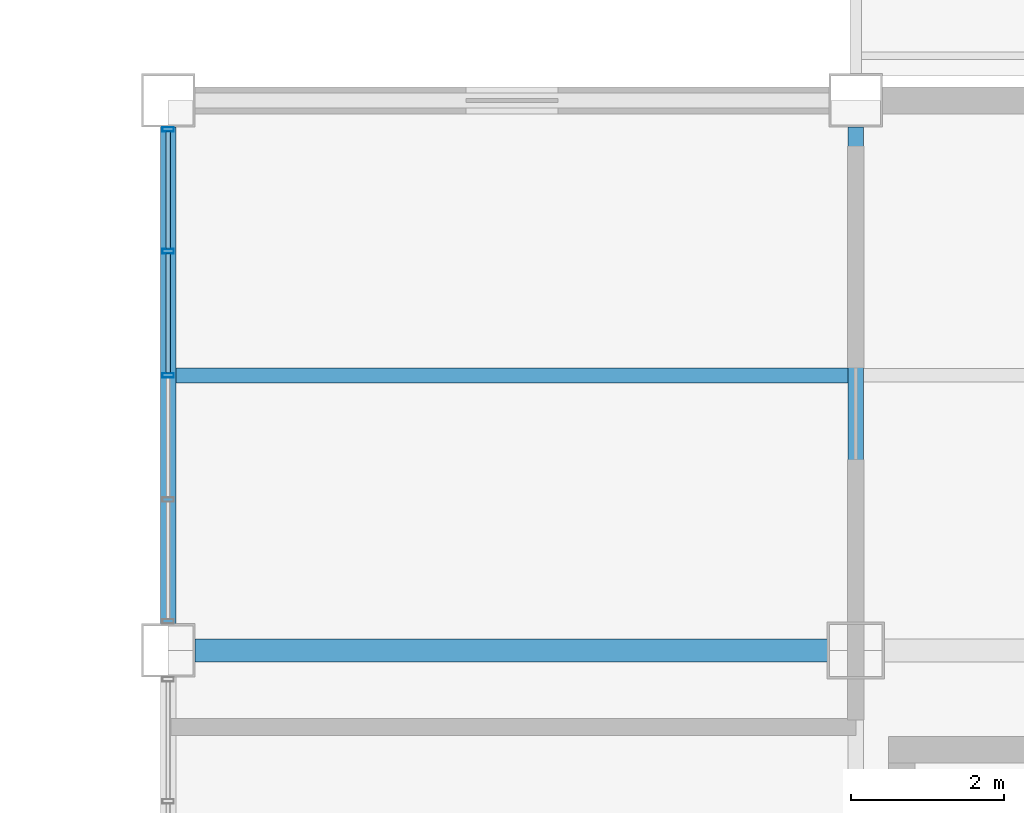
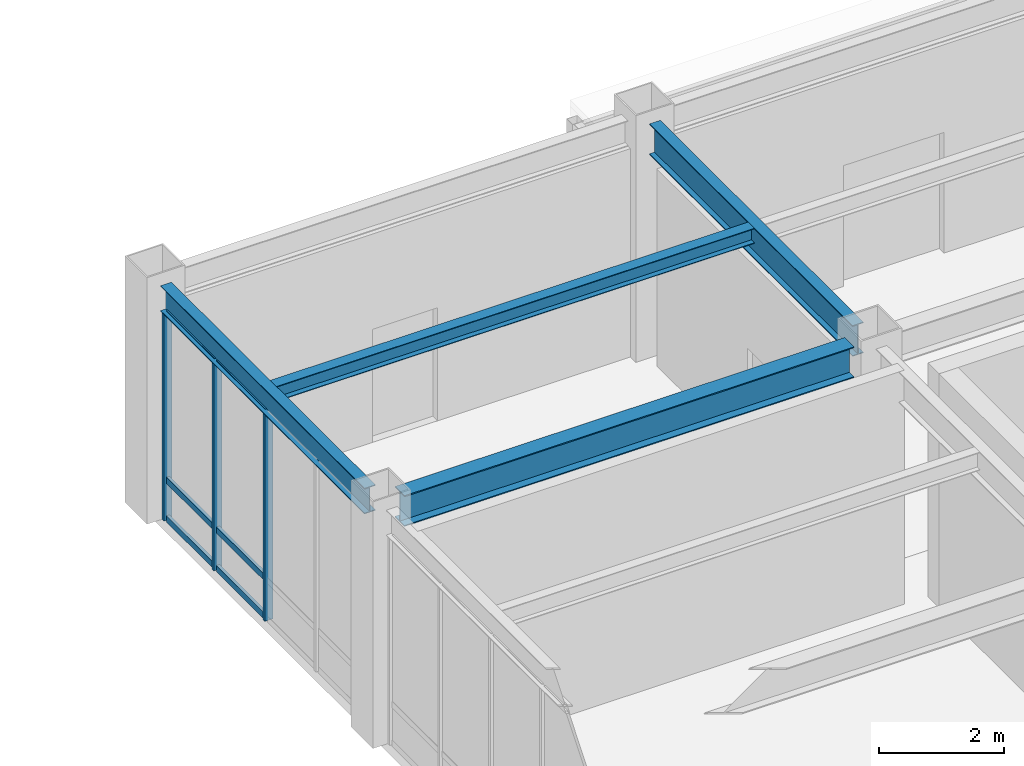
# One storey, part 70 of 112: 9 members, 4 beams, 1 element without a shape of its own.
"""IFC4 building model written with IfcOpenShell, lengths in metres."""

from ifc_helpers import new_model, si_unit, direction, frame, origin, origin_2d, place, context, subcontext, project, spatial, hollow_rectangle, i_section, extrude, material, material_profile, profile_set, type_object, element, aggregate, save


model = new_model("IFC4")

# Units and contexts
model_context = context("Model", 3, precision=1e-05, world=origin(), true_north=direction((0.0, 1.0)))
body_context = subcontext(model_context, "Body", "Model", "MODEL_VIEW")
ifc_project = project(units=[si_unit("LENGTHUNIT", "METRE"), si_unit("AREAUNIT", "SQUARE_METRE"), si_unit("VOLUMEUNIT", "CUBIC_METRE"), si_unit("PLANEANGLEUNIT", "RADIAN"), si_unit("MASSUNIT", "GRAM", prefix="KILO")], contexts=[model_context])

# Site, building, storey
site_placement = place(None, origin())
site = spatial("IfcSite", under=ifc_project, at=site_placement, CompositionType="ELEMENT")
building_placement = place(site_placement, origin())
building = spatial("IfcBuilding", under=site, at=building_placement, Name="Kazanami Central Library", CompositionType="ELEMENT")
storey_placement = place(building_placement, origin())
storey = spatial("IfcBuildingStorey", under=building, at=storey_placement, Name="L01", CompositionType="ELEMENT", Elevation=0.0)

# Beams
ifc_material_1 = material(Name="Steel SN400B (235 MPa)", Category="steel")
ifc_material_profile_1 = material_profile(ifc_material_1, i_section(OverallWidth=0.199951171875, OverallDepth=0.2939453125, WebThickness=0.008056640625, FlangeThickness=0.011962890625, at=origin_2d()), Name="H-294x200x8x12")
ifc_profile_set_1 = profile_set([ifc_material_profile_1], Name="Steel SN400B (235 MPa)")
beam_type_1 = type_object("IfcBeamType", Name="BM-B-S5", PredefinedType="JOIST", material=ifc_profile_set_1)
beam_1_placement = place(storey_placement, frame((117.097900390625, 90.0, 4.407958984375), z_axis=(1.0, 0.0, 0.0), x_axis=(0.0, 1.0, 0.0)))
element("IfcBeam", 1, at=beam_1_placement, inside=storey, type_object=beam_type_1, Name="Composite Secondary Joist B-S5 L01 Bay 14/N.1", PredefinedType="JOIST", context=body_context, shape_type="SweptSolid", body=[
    extrude(i_section(OverallWidth=0.199951171875, OverallDepth=0.2939453125, WebThickness=0.008056640625, FlangeThickness=0.011962890625, at=origin_2d()), origin(), (0.0, 0.0, 1.0), 8.80419921875),
])
ifc_material_2 = material(Name="Steel SN490B (325 MPa)", Category="steel")
ifc_material_profile_2 = material_profile(ifc_material_2, i_section(OverallWidth=0.300048828125, OverallDepth=0.60009765625, WebThickness=0.011962890625, FlangeThickness=0.02001953125, at=origin_2d()), Name="H-600x300x12x20")
ifc_profile_set_2 = profile_set([ifc_material_profile_2], Name="Steel SN490B (325 MPa)")
beam_type_2 = type_object("IfcBeamType", Name="BM-G-X1", PredefinedType="BEAM", material=ifc_profile_set_2)
beam_2_placement = place(storey_placement, frame((117.347900390625, 86.39990234375, 4.2548828125), z_axis=(1.0, 0.0, 0.0), x_axis=(0.0, 1.0, 0.0)))
element("IfcBeam", 2, at=beam_2_placement, inside=storey, type_object=beam_type_2, Name="Girder G-X1 L01 N/14-15", PredefinedType="BEAM", context=body_context, shape_type="SweptSolid", body=[
    extrude(i_section(OverallWidth=0.300048828125, OverallDepth=0.60009765625, WebThickness=0.011962890625, FlangeThickness=0.02001953125, at=origin_2d()), origin(), (0.0, 0.0, 1.0), 8.279052734375),
])
ifc_material_profile_3 = material_profile(ifc_material_2, i_section(OverallWidth=0.199951171875, OverallDepth=0.60009765625, WebThickness=0.010986328125, FlangeThickness=0.01708984375, at=origin_2d()), Name="H-600x200x11x17")
ifc_profile_set_3 = profile_set([ifc_material_profile_3], Name="Steel SN490B (325 MPa)")
beam_type_3 = type_object("IfcBeamType", Name="BM-G-Y1", PredefinedType="BEAM", material=ifc_profile_set_3)
beam_3_placement = place(storey_placement, frame((126.0, 86.77294921875, 4.2548828125), z_axis=(0.0, 1.0, 0.0), x_axis=(-1.0, 0.0, 0.0)))
element("IfcBeam", 3, at=beam_3_placement, inside=storey, type_object=beam_type_3, Name="Girder G-Y1 L01 15/N-O", PredefinedType="BEAM", context=body_context, shape_type="SweptSolid", body=[
    extrude(i_section(OverallWidth=0.199951171875, OverallDepth=0.60009765625, WebThickness=0.010986328125, FlangeThickness=0.01708984375, at=origin_2d()), origin(), (0.0, 0.0, 1.0), 6.47900390625),
])
ifc_material_profile_4 = material_profile(ifc_material_2, i_section(OverallWidth=0.199951171875, OverallDepth=0.5, WebThickness=0.010009765625, FlangeThickness=0.01611328125, at=origin_2d()), Name="H-500x200x10x16")
ifc_profile_set_4 = profile_set([ifc_material_profile_4], Name="Steel SN490B (325 MPa)")
beam_type_4 = type_object("IfcBeamType", Name="BM-SP-1", PredefinedType="SPANDREL", material=ifc_profile_set_4)
beam_4_placement = place(storey_placement, frame((117.0, 86.748046875, 4.304931640625), z_axis=(0.0, 1.0, 0.0), x_axis=(-1.0, 0.0, 0.0)))
element("IfcBeam", 4, at=beam_4_placement, inside=storey, type_object=beam_type_4, Name="Girder SP-1 L01 14/N-O", PredefinedType="SPANDREL", context=body_context, shape_type="SweptSolid", body=[
    extrude(i_section(OverallWidth=0.199951171875, OverallDepth=0.5, WebThickness=0.010009765625, FlangeThickness=0.01611328125, at=origin_2d()), origin(), (0.0, 0.0, 1.0), 6.50390625),
])

# Curtain wall, members
ifc_material_3 = material(Name="Acid-Etched Low-E Laminated Glass", Category="glass")
curtain_wall_type = type_object("IfcCurtainWallType", Name="CW-6500x4055-M180", PredefinedType="USERDEFINED", material=ifc_material_3)
curtain_wall_placement = place(storey_placement, origin())
curtain_wall = element("IfcCurtainWall", 5, at=curtain_wall_placement, inside=storey, type_object=curtain_wall_type, Name="Covered Link Bridge Curtain Wall CW-11 L01 W-14-12", ObjectType="UNITISED CURTAIN WALL", PredefinedType="USERDEFINED")
ifc_material_4 = material(Name="Anodised Aluminium A6063-T5", Category="aluminium")
ifc_material_profile_5 = material_profile(ifc_material_4, hollow_rectangle(XDim=0.06005859375, YDim=0.14990234375, WallThickness=0.00390625, at=origin_2d()), Name="ALU-MULL-60x150x4")
ifc_profile_set_5 = profile_set([ifc_material_profile_5], Name="Anodised Aluminium A6063-T5")
member_type_1 = type_object("IfcMemberType", Name="MEM-CW-M3", PredefinedType="MULLION", material=ifc_profile_set_5)
member_1_placement = place(storey_placement, frame((117.0, 90.0, 0.0), z_axis=(0.0, 0.0, 1.0), x_axis=(0.0, 1.0, 0.0)))
member_1 = element("IfcMember", 6, at=member_1_placement, type_object=member_type_1, Name="CW-11 mullion 3", PredefinedType="MULLION", context=body_context, shape_type="SweptSolid", body=[
    extrude(hollow_rectangle(XDim=0.06005859375, YDim=0.14990234375, WallThickness=0.00390625, at=origin_2d()), origin(), (0.0, 0.0, 1.0), 4.054931640625),
])
member_2_placement = place(storey_placement, frame((117.0, 91.625, 0.0), z_axis=(0.0, 0.0, 1.0), x_axis=(0.0, 1.0, 0.0)))
member_2 = element("IfcMember", 7, at=member_2_placement, type_object=member_type_1, Name="CW-11 mullion 4", PredefinedType="MULLION", context=body_context, shape_type="SweptSolid", body=[
    extrude(hollow_rectangle(XDim=0.06005859375, YDim=0.14990234375, WallThickness=0.00390625, at=origin_2d()), origin(), (0.0, 0.0, 1.0), 4.054931640625),
])
member_3_placement = place(storey_placement, frame((117.0, 93.219970703125, 0.0), z_axis=(0.0, 0.0, 1.0), x_axis=(0.0, 1.0, 0.0)))
member_3 = element("IfcMember", 8, at=member_3_placement, type_object=member_type_1, Name="CW-11 mullion 5", PredefinedType="MULLION", context=body_context, shape_type="SweptSolid", body=[
    extrude(hollow_rectangle(XDim=0.06005859375, YDim=0.14990234375, WallThickness=0.00390625, at=origin_2d()), origin(), (0.0, 0.0, 1.0), 4.054931640625),
])
ifc_material_profile_6 = material_profile(ifc_material_4, hollow_rectangle(XDim=0.06005859375, YDim=0.1201171875, WallThickness=0.00341796875, at=origin_2d()), Name="ALU-TRAN-60x120x3.5")
ifc_profile_set_6 = profile_set([ifc_material_profile_6], Name="Anodised Aluminium A6063-T5")
member_type_2 = type_object("IfcMemberType", Name="MEM-CW-T3", PredefinedType="USERDEFINED", material=ifc_profile_set_6)
member_4_placement = place(storey_placement, frame((117.0, 90.030029296875, 0.030029296875), z_axis=(0.0, 1.0, 0.0), x_axis=(-1.0, 0.0, 0.0)))
member_4 = element("IfcMember", 9, at=member_4_placement, type_object=member_type_2, Name="CW-11 transom 3.1", ObjectType="TRANSOM", PredefinedType="USERDEFINED", context=body_context, shape_type="SweptSolid", body=[
    extrude(hollow_rectangle(XDim=0.06005859375, YDim=0.1201171875, WallThickness=0.00341796875, at=origin_2d()), origin(), (0.0, 0.0, 1.0), 1.56494140625),
])
member_5_placement = place(storey_placement, frame((117.0, 90.030029296875, 0.780029296875), z_axis=(0.0, 1.0, 0.0), x_axis=(-1.0, 0.0, 0.0)))
member_5 = element("IfcMember", 10, at=member_5_placement, type_object=member_type_2, Name="CW-11 transom 3.2", ObjectType="TRANSOM", PredefinedType="USERDEFINED", context=body_context, shape_type="SweptSolid", body=[
    extrude(hollow_rectangle(XDim=0.06005859375, YDim=0.1201171875, WallThickness=0.00341796875, at=origin_2d()), origin(), (0.0, 0.0, 1.0), 1.56494140625),
])
member_6_placement = place(storey_placement, frame((117.0, 90.030029296875, 4.02490234375), z_axis=(0.0, 1.0, 0.0), x_axis=(-1.0, 0.0, 0.0)))
member_6 = element("IfcMember", 11, at=member_6_placement, type_object=member_type_2, Name="CW-11 transom 3.3", ObjectType="TRANSOM", PredefinedType="USERDEFINED", context=body_context, shape_type="SweptSolid", body=[
    extrude(hollow_rectangle(XDim=0.06005859375, YDim=0.1201171875, WallThickness=0.00341796875, at=origin_2d()), origin(), (0.0, 0.0, 1.0), 1.56494140625),
])
member_7_placement = place(storey_placement, frame((117.0, 91.655029296875, 0.030029296875), z_axis=(0.0, 1.0, 0.0), x_axis=(-1.0, 0.0, 0.0)))
member_7 = element("IfcMember", 12, at=member_7_placement, type_object=member_type_2, Name="CW-11 transom 4.1", ObjectType="TRANSOM", PredefinedType="USERDEFINED", context=body_context, shape_type="SweptSolid", body=[
    extrude(hollow_rectangle(XDim=0.06005859375, YDim=0.1201171875, WallThickness=0.00341796875, at=origin_2d()), origin(), (0.0, 0.0, 1.0), 1.534912109375),
])
member_8_placement = place(storey_placement, frame((117.0, 91.655029296875, 0.780029296875), z_axis=(0.0, 1.0, 0.0), x_axis=(-1.0, 0.0, 0.0)))
member_8 = element("IfcMember", 13, at=member_8_placement, type_object=member_type_2, Name="CW-11 transom 4.2", ObjectType="TRANSOM", PredefinedType="USERDEFINED", context=body_context, shape_type="SweptSolid", body=[
    extrude(hollow_rectangle(XDim=0.06005859375, YDim=0.1201171875, WallThickness=0.00341796875, at=origin_2d()), origin(), (0.0, 0.0, 1.0), 1.534912109375),
])
member_9_placement = place(storey_placement, frame((117.0, 91.655029296875, 4.02490234375), z_axis=(0.0, 1.0, 0.0), x_axis=(-1.0, 0.0, 0.0)))
member_9 = element("IfcMember", 14, at=member_9_placement, type_object=member_type_2, Name="CW-11 transom 4.3", ObjectType="TRANSOM", PredefinedType="USERDEFINED", context=body_context, shape_type="SweptSolid", body=[
    extrude(hollow_rectangle(XDim=0.06005859375, YDim=0.1201171875, WallThickness=0.00341796875, at=origin_2d()), origin(), (0.0, 0.0, 1.0), 1.534912109375),
])
aggregate(curtain_wall, [member_1, member_2, member_3, member_4, member_5, member_6, member_7, member_8, member_9])

save(model, "model.ifc")
